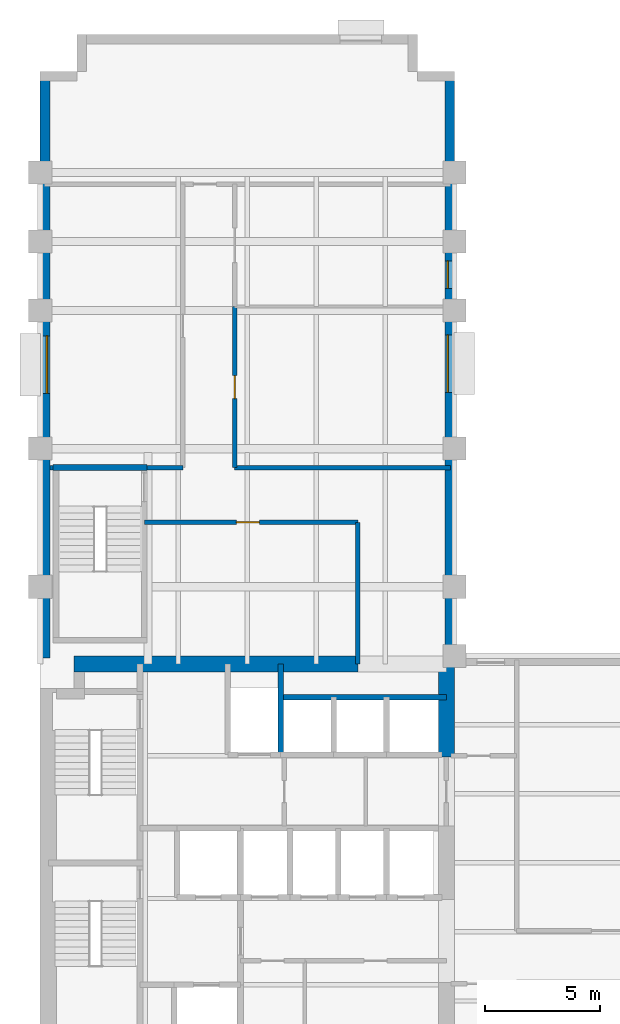
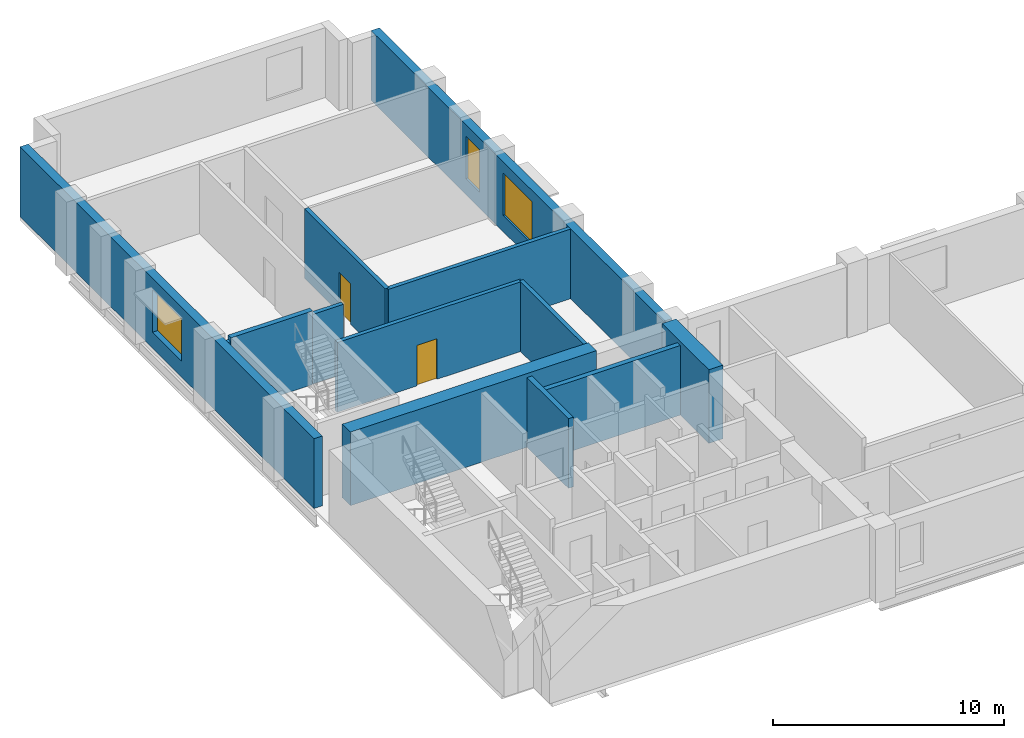
# One storey, part 4 of 8: 13 walls, 3 windows, 2 doors, 5 openings.
"""IFC4 building model written with IfcOpenShell, lengths in metres."""

from ifc_helpers import new_model, si_unit, direction, frame, frame_2d, origin, place, context, subcontext, project, spatial, rectangle, extrude, material, layer, layer_set, type_object, element, fill, save


model = new_model("IFC4")

# Units and contexts
model_context = context("Model", 3, precision=1e-05, world=origin(), true_north=direction((0.0, 1.0)))
body_context = subcontext(model_context, "Body", "Model", "MODEL_VIEW")
ifc_project = project(units=[si_unit("LENGTHUNIT", "METRE"), si_unit("AREAUNIT", "SQUARE_METRE"), si_unit("VOLUMEUNIT", "CUBIC_METRE"), si_unit("PLANEANGLEUNIT", "RADIAN"), si_unit("MASSUNIT", "GRAM", prefix="KILO")], contexts=[model_context])

# Site, building, storey
site_placement = place(None, origin())
site = spatial("IfcSite", under=ifc_project, at=site_placement, CompositionType="ELEMENT")
building_placement = place(site_placement, origin())
building = spatial("IfcBuilding", under=site, at=building_placement, Name="Mawjdan Bourse Tower", CompositionType="ELEMENT")
storey_placement = place(building_placement, frame((0.0, 0.0, 144.0)))
storey = spatial("IfcBuildingStorey", under=building, at=storey_placement, Name="L34", CompositionType="ELEMENT", Elevation=144.0)

# Wall, openings, windows
ifc_material_1 = material(Name="Brick Masonry Buff", Category="masonry")
ifc_layer_1 = layer(ifc_material_1, 0.419921875)
ifc_layer_set_1 = layer_set([ifc_layer_1], Name="Brick Masonry Buff")
wall_type_1 = type_object("IfcWallType", Name="WL-BRK-BUFF-420", PredefinedType="STANDARD", material=ifc_layer_set_1)
wall_1_placement = place(storey_placement, frame((23.7900390625, 21.0, 0.0), z_axis=(0.0, 0.0, 1.0), x_axis=(0.0, 1.0, 0.0)))
wall_1 = element("IfcWall", 1, at=wall_1_placement, inside=storey, type_object=wall_type_1, Name="L34 Exterior Brick Wall 8", PredefinedType="STANDARD", context=body_context, shape_type="SweptSolid", body=[
    extrude(rectangle(XDim=25.39990234375, YDim=0.419921875, at=frame_2d((12.699951171875, 0.0))), origin(), (0.0, 0.0, 1.0), 3.699951171875),
])
opening_1_placement = place(wall_1_placement, frame((11.449951171875, 0.0, 0.85009765625)))
opening_1 = element("IfcOpeningElement", 2, at=opening_1_placement, cuts=wall_1, Name="Opening W-L34-05", PredefinedType="OPENING", context=body_context, shape_type="SweptSolid", body=[
    extrude(rectangle(XDim=2.5, YDim=2.25, at=frame_2d((1.25, 1.125))), frame((0.0, 0.219970703125, 0.0), z_axis=(0.0, -1.0, 0.0), x_axis=(1.0, 0.0, 0.0)), (0.0, 0.0, 1.0), 0.43994140625),
])
opening_2_placement = place(wall_1_placement, frame((15.96630859375, 0.0, 0.85009765625)))
opening_2 = element("IfcOpeningElement", 3, at=opening_2_placement, cuts=wall_1, Name="Opening W-L34-11", PredefinedType="OPENING", context=body_context, shape_type="SweptSolid", body=[
    extrude(rectangle(XDim=1.199951171875, YDim=2.25, at=frame_2d((0.60009765625, 1.125))), frame((0.0, 0.219970703125, 0.0), z_axis=(0.0, -1.0, 0.0), x_axis=(1.0, 0.0, 0.0)), (0.0, 0.0, 1.0), 0.43994140625),
])
ifc_material_2 = material(Name="Solar-Control Clear Double Glazing", Category="glass")
window_type_1 = type_object("IfcWindowType", Name="WN-Z2-1200", PartitioningType="SINGLE_PANEL", PredefinedType="WINDOW", material=ifc_material_2)
window_1_placement = place(opening_2_placement, origin())
window_1 = element("IfcWindow", 4, at=window_1_placement, inside=storey, type_object=window_type_1, Name="L34 Deep-Set Masonry Window W-L34-11", OverallHeight=2.25, OverallWidth=1.199951171875, PartitioningType="SINGLE_PANEL", PredefinedType="WINDOW", context=body_context, shape_type="SweptSolid", body=[
    extrude(rectangle(XDim=1.199951171875, YDim=2.25, at=frame_2d((0.60009765625, 1.125))), frame((0.0, 0.110107421875, 0.0), z_axis=(0.0, -1.0, 0.0), x_axis=(1.0, 0.0, 0.0)), (0.0, 0.0, 1.0), 0.06005859375),
])
fill(opening_2, window_1)
window_type_2 = type_object("IfcWindowType", Name="WN-Z2-2500", PartitioningType="SINGLE_PANEL", PredefinedType="WINDOW", material=ifc_material_2)
window_2_placement = place(opening_1_placement, origin())
window_2 = element("IfcWindow", 5, at=window_2_placement, inside=storey, type_object=window_type_2, Name="L34 Deep-Set Masonry Window W-L34-05", OverallHeight=2.25, OverallWidth=2.5, PartitioningType="SINGLE_PANEL", PredefinedType="WINDOW", context=body_context, shape_type="SweptSolid", body=[
    extrude(rectangle(XDim=2.5, YDim=2.25, at=frame_2d((1.25, 1.125))), frame((0.0, 0.110107421875, 0.0), z_axis=(0.0, -1.0, 0.0), x_axis=(1.0, 0.0, 0.0)), (0.0, 0.0, 1.0), 0.06005859375),
])
fill(opening_1, window_2)

# Wall, opening, window
wall_2_placement = place(storey_placement, frame((6.2099609375, 46.39990234375, 0.0), z_axis=(0.0, 0.0, 1.0), x_axis=(0.0, -1.0, 0.0)))
wall_2 = element("IfcWall", 6, at=wall_2_placement, inside=storey, type_object=wall_type_1, Name="L34 Exterior Brick Wall 14", PredefinedType="STANDARD", context=body_context, shape_type="SweptSolid", body=[
    extrude(rectangle(XDim=25.5, YDim=0.419921875, at=frame_2d((12.75, 0.0))), origin(), (0.0, 0.0, 1.0), 3.699951171875),
])
opening_3_placement = place(wall_2_placement, frame((11.5, 0.0, 0.85009765625)))
opening_3 = element("IfcOpeningElement", 7, at=opening_3_placement, cuts=wall_2, Name="Opening W-L34-07", PredefinedType="OPENING", context=body_context, shape_type="SweptSolid", body=[
    extrude(rectangle(XDim=2.5, YDim=2.25, at=frame_2d((1.25, 1.125))), frame((0.0, 0.219970703125, 0.0), z_axis=(0.0, -1.0, 0.0), x_axis=(1.0, 0.0, 0.0)), (0.0, 0.0, 1.0), 0.43994140625),
])
window_3_placement = place(opening_3_placement, origin())
window_3 = element("IfcWindow", 8, at=window_3_placement, inside=storey, type_object=window_type_2, Name="L34 Deep-Set Masonry Window W-L34-07", OverallHeight=2.25, OverallWidth=2.5, PartitioningType="SINGLE_PANEL", PredefinedType="WINDOW", context=body_context, shape_type="SweptSolid", body=[
    extrude(rectangle(XDim=2.5, YDim=2.25, at=frame_2d((1.25, 1.125))), frame((0.0, 0.110107421875, 0.0), z_axis=(0.0, -1.0, 0.0), x_axis=(1.0, 0.0, 0.0)), (0.0, 0.0, 1.0), 0.06005859375),
])
fill(opening_3, window_3)

# Wall, opening, door
ifc_material_3 = material(Name="Gypsum Fireboard Assembly")
ifc_layer_2 = layer(ifc_material_3, 0.199951171875)
ifc_layer_set_2 = layer_set([ifc_layer_2], Name="Gypsum Fireboard Assembly")
wall_type_2 = type_object("IfcWallType", Name="WL-CMP-200", PredefinedType="PARTITIONING", material=ifc_layer_set_2)
wall_3_placement = place(storey_placement, frame((10.52001953125, 26.800048828125, 0.0), z_axis=(0.0, 0.0, 1.0), x_axis=(1.0, 0.0, 0.0)))
wall_3 = element("IfcWall", 9, at=wall_3_placement, inside=storey, type_object=wall_type_2, Name="L34 North Throat North Wall", PredefinedType="PARTITIONING", context=body_context, shape_type="SweptSolid", body=[
    extrude(rectangle(XDim=9.280029296875, YDim=0.199951171875, at=frame_2d((4.64013671875, 0.0))), origin(), (0.0, 0.0, 1.0), 3.68994140625),
])
opening_4_placement = place(wall_3_placement, frame((4.0, 0.0, 0.0)))
opening_4 = element("IfcOpeningElement", 10, at=opening_4_placement, cuts=wall_3, Name="Opening D-L34-26", PredefinedType="OPENING", context=body_context, shape_type="SweptSolid", body=[
    extrude(rectangle(XDim=1.0, YDim=2.14990234375, at=frame_2d((0.5, 1.074951171875))), frame((0.0, 0.10986328125, 0.0), z_axis=(0.0, -1.0, 0.0), x_axis=(1.0, 0.0, 0.0)), (0.0, 0.0, 1.0), 0.219970703125),
])
ifc_material_4 = material(Name="Hardwood Acoustic Leaf", Category="wood")
door_type = type_object("IfcDoorType", Name="DR-OFC-1000", OperationType="NOTDEFINED", PredefinedType="DOOR", material=ifc_material_4)
door_1_placement = place(opening_4_placement, origin())
door_1 = element("IfcDoor", 11, at=door_1_placement, inside=storey, type_object=door_type, Name="L34 North Throat Suite Door D-L34-26", OperationType="SINGLE_SWING_RIGHT", OverallHeight=2.14990234375, OverallWidth=1.0, PredefinedType="DOOR", context=body_context, shape_type="SweptSolid", body=[
    extrude(rectangle(XDim=1.0, YDim=2.14990234375, at=frame_2d((0.5, 1.074951171875))), frame((0.0, 0.02490234375, 0.0), z_axis=(0.0, -1.0, 0.0), x_axis=(1.0, 0.0, 0.0)), (0.0, 0.0, 1.0), 0.050048828125),
])
fill(opening_4, door_1)

# Walls
wall_4_placement = place(storey_placement, frame((19.800048828125, 20.64990234375, 0.0), z_axis=(0.0, 0.0, 1.0), x_axis=(0.0, 1.0, 0.0)))
element("IfcWall", 12, at=wall_4_placement, inside=storey, type_object=wall_type_2, Name="L34 North Throat East Wall", PredefinedType="PARTITIONING", context=body_context, shape_type="SweptSolid", body=[
    extrude(rectangle(XDim=6.150146484375, YDim=0.199951171875, at=frame_2d((3.0751953125, 0.0))), origin(), (0.0, 0.0, 1.0), 3.68994140625),
])
wall_5_placement = place(storey_placement, frame((6.419921875, 29.179931640625, 0.0), z_axis=(0.0, 0.0, 1.0), x_axis=(1.0, 0.0, 0.0)))
element("IfcWall", 13, at=wall_5_placement, inside=storey, type_object=wall_type_2, Name="L34 North West Band ST3 West Return", PredefinedType="PARTITIONING", context=body_context, shape_type="SweptSolid", body=[
    extrude(rectangle(XDim=0.135009765625, YDim=0.199951171875, at=frame_2d((0.0673828125, 0.0))), origin(), (0.0, 0.0, 1.0), 3.68994140625),
])
wall_6_placement = place(storey_placement, frame((10.6298828125, 29.179931640625, 0.0), z_axis=(0.0, 0.0, 1.0), x_axis=(1.0, 0.0, 0.0)))
element("IfcWall", 14, at=wall_6_placement, inside=storey, type_object=wall_type_2, Name="L34 North West Band South Wall", PredefinedType="PARTITIONING", context=body_context, shape_type="SweptSolid", body=[
    extrude(rectangle(XDim=1.570068359375, YDim=0.199951171875, at=frame_2d((0.78515625, 0.0))), origin(), (0.0, 0.0, 1.0), 3.68994140625),
])
wall_7_placement = place(storey_placement, frame((14.449951171875, 29.179931640625, 0.0), z_axis=(0.0, 0.0, 1.0), x_axis=(1.0, 0.0, 0.0)))
element("IfcWall", 15, at=wall_7_placement, inside=storey, type_object=wall_type_2, Name="L34 North East Band South Wall", PredefinedType="PARTITIONING", context=body_context, shape_type="SweptSolid", body=[
    extrude(rectangle(XDim=9.3701171875, YDim=0.199951171875, at=frame_2d((4.68505859375, 0.0))), origin(), (0.0, 0.0, 1.0), 3.68994140625),
])

# Wall, opening, door
wall_8_placement = place(storey_placement, frame((14.449951171875, 29.179931640625, 0.0), z_axis=(0.0, 0.0, 1.0), x_axis=(0.0, 1.0, 0.0)))
wall_8 = element("IfcWall", 16, at=wall_8_placement, inside=storey, type_object=wall_type_2, Name="L34 Executive Office Corridor Wall", PredefinedType="PARTITIONING", context=body_context, shape_type="SweptSolid", body=[
    extrude(rectangle(XDim=7.0, YDim=0.199951171875, at=frame_2d((3.5, 0.0))), origin(), (0.0, 0.0, 1.0), 3.68994140625),
])
opening_5_placement = place(wall_8_placement, frame((3.0, 0.0, 0.0)))
opening_5 = element("IfcOpeningElement", 17, at=opening_5_placement, cuts=wall_8, Name="Opening D-L34-28", PredefinedType="OPENING", context=body_context, shape_type="SweptSolid", body=[
    extrude(rectangle(XDim=1.0, YDim=2.14990234375, at=frame_2d((0.5, 1.074951171875))), frame((0.0, 0.10986328125, 0.0), z_axis=(0.0, -1.0, 0.0), x_axis=(1.0, 0.0, 0.0)), (0.0, 0.0, 1.0), 0.219970703125),
])
door_2_placement = place(opening_5_placement, origin())
door_2 = element("IfcDoor", 18, at=door_2_placement, inside=storey, type_object=door_type, Name="L34 Executive Office Door D-L34-28", OperationType="SINGLE_SWING_RIGHT", OverallHeight=2.14990234375, OverallWidth=1.0, PredefinedType="DOOR", context=body_context, shape_type="SweptSolid", body=[
    extrude(rectangle(XDim=1.0, YDim=2.14990234375, at=frame_2d((0.5, 1.074951171875))), frame((0.0, 0.02490234375, 0.0), z_axis=(0.0, -1.0, 0.0), x_axis=(1.0, 0.0, 0.0)), (0.0, 0.0, 1.0), 0.050048828125),
])
fill(opening_5, door_2)

# Walls
ifc_material_5 = material(Name="Concrete C70/85", Category="concrete")
ifc_layer_3 = layer(ifc_material_5, 0.699951171875)
ifc_layer_set_3 = layer_set([ifc_layer_3], Name="Concrete C70/85")
wall_type_3 = type_object("IfcWallType", Name="WL-CORE-700", PredefinedType="SHEAR", material=ifc_layer_set_3)
wall_9_placement = place(storey_placement, frame((7.47509765625, 20.64990234375, 0.0), z_axis=(0.0, 0.0, 1.0), x_axis=(1.0, 0.0, 0.0)))
element("IfcWall", 19, at=wall_9_placement, inside=storey, type_object=wall_type_3, Name="L34 Rear Core Shear Wall N", PredefinedType="SHEAR", context=body_context, shape_type="SweptSolid", body=[
    extrude(rectangle(XDim=12.324951171875, YDim=0.699951171875, at=frame_2d((6.16259765625, 0.0))), origin(), (0.0, 0.0, 1.0), 3.89990234375),
])
wall_10_placement = place(storey_placement, frame((23.64990234375, 16.60009765625, 0.0), z_axis=(0.0, 0.0, 1.0), x_axis=(0.0, 1.0, 0.0)))
element("IfcWall", 20, at=wall_10_placement, inside=storey, type_object=wall_type_3, Name="L34 Rear Core Shear Wall E3", PredefinedType="SHEAR", context=body_context, shape_type="SweptSolid", body=[
    extrude(rectangle(XDim=4.0498046875, YDim=0.699951171875, at=frame_2d((2.02490234375, 0.0))), origin(), (0.0, 0.0, 1.0), 3.89990234375),
])
ifc_material_6 = material(Name="Concrete C50/60", Category="concrete")
ifc_layer_4 = layer(ifc_material_6, 0.25)
ifc_layer_set_4 = layer_set([ifc_layer_4], Name="Concrete C50/60")
wall_type_4 = type_object("IfcWallType", Name="WL-SHFT-250", PredefinedType="PARTITIONING", material=ifc_layer_set_4)
wall_11_placement = place(storey_placement, frame((16.449951171875, 16.699951171875, 0.0), z_axis=(0.0, 0.0, 1.0), x_axis=(0.0, 1.0, 0.0)))
element("IfcWall", 21, at=wall_11_placement, inside=storey, type_object=wall_type_4, Name="L34 SVL-01 East Shaft Wall", PredefinedType="PARTITIONING", context=body_context, shape_type="SweptSolid", body=[
    extrude(rectangle(XDim=3.949951171875, YDim=0.25, at=frame_2d((1.97509765625, 0.0))), origin(), (0.0, 0.0, 1.0), 3.68994140625),
])
wall_12_placement = place(storey_placement, frame((16.449951171875, 19.199951171875, 0.0), z_axis=(0.0, 0.0, 1.0), x_axis=(1.0, 0.0, 0.0)))
element("IfcWall", 22, at=wall_12_placement, inside=storey, type_object=wall_type_4, Name="L34 PH Bank North Shaft Back Wall", PredefinedType="PARTITIONING", context=body_context, shape_type="SweptSolid", body=[
    extrude(rectangle(XDim=7.199951171875, YDim=0.25, at=frame_2d((3.60009765625, 0.0))), origin(), (0.0, 0.0, 1.0), 3.68994140625),
])
ifc_layer_5 = layer(ifc_material_6, 0.25)
ifc_layer_set_5 = layer_set([ifc_layer_5], Name="Concrete C50/60")
wall_type_5 = type_object("IfcWallType", Name="WL-STRW-250", PredefinedType="SHEAR", material=ifc_layer_set_5)
wall_13_placement = place(storey_placement, frame((6.554931640625, 29.179931640625, 0.0), z_axis=(0.0, 0.0, 1.0), x_axis=(1.0, 0.0, 0.0)))
element("IfcWall", 23, at=wall_13_placement, inside=storey, type_object=wall_type_5, Name="L34 ST3 North Shaft Wall", PredefinedType="SHEAR", context=body_context, shape_type="SweptSolid", body=[
    extrude(rectangle(XDim=4.090087890625, YDim=0.25, at=frame_2d((2.044921875, 0.0))), origin(), (0.0, 0.0, 1.0), 3.89990234375),
])

save(model, "model.ifc")
